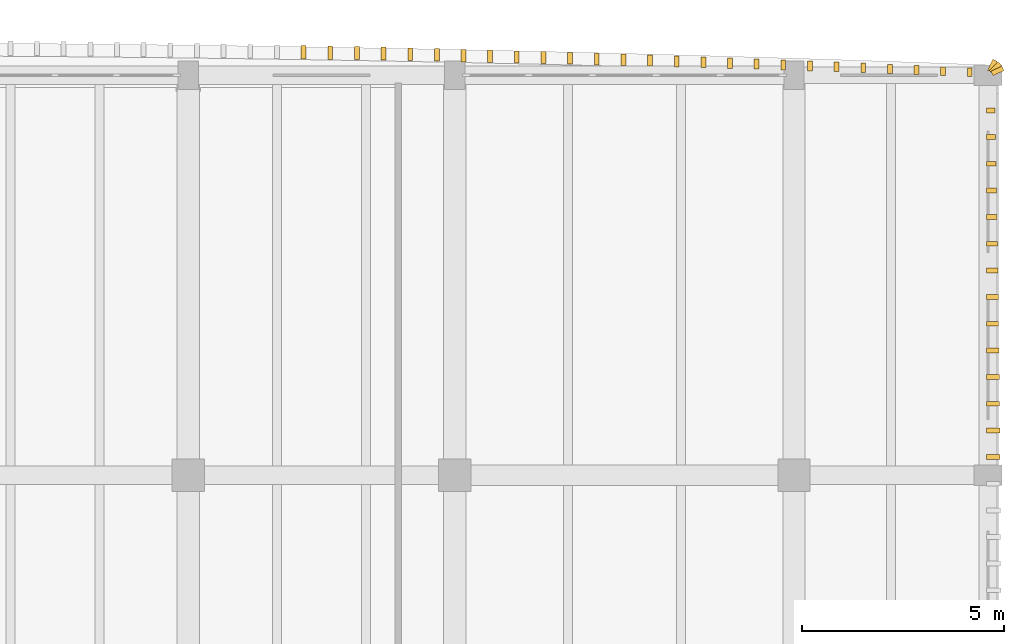
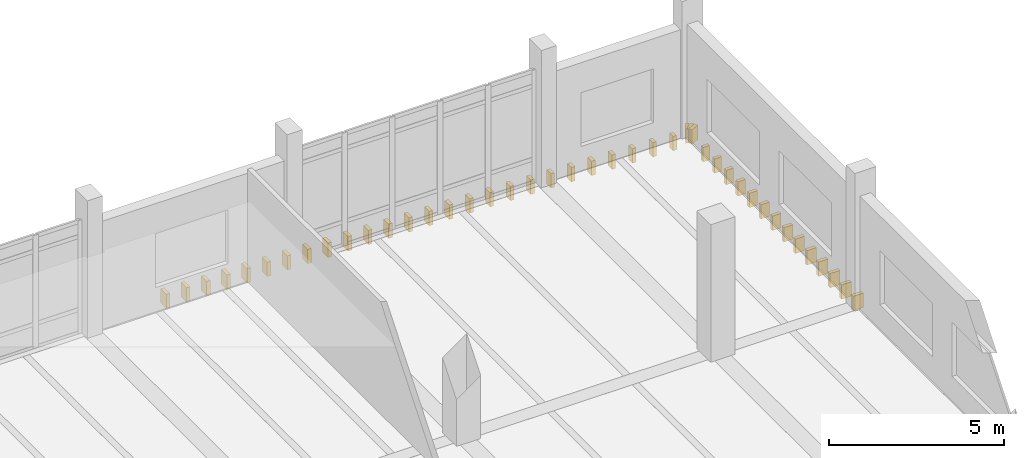
# One storey, part 125 of 125: 43 coverings.
"""IFC4 building model written with IfcOpenShell, lengths in metres."""

from ifc_helpers import new_model, si_unit, direction, frame, origin, origin_2d, place, context, subcontext, project, spatial, rectangle, extrude, material, layer, layer_set, type_object, element, save


model = new_model("IFC4")

# Units and contexts
model_context = context("Model", 3, precision=1e-05, world=origin(), true_north=direction((0.0, 1.0)))
body_context = subcontext(model_context, "Body", "Model", "MODEL_VIEW")
ifc_project = project(units=[si_unit("LENGTHUNIT", "METRE"), si_unit("AREAUNIT", "SQUARE_METRE"), si_unit("VOLUMEUNIT", "CUBIC_METRE"), si_unit("PLANEANGLEUNIT", "RADIAN"), si_unit("MASSUNIT", "GRAM", prefix="KILO")], contexts=[model_context])

# Site, building, storey
site_placement = place(None, origin())
site = spatial("IfcSite", under=ifc_project, at=site_placement, CompositionType="ELEMENT")
building_placement = place(site_placement, origin())
building = spatial("IfcBuilding", under=site, at=building_placement, Name="Dornvale Research Institute", CompositionType="ELEMENT")
storey_placement = place(building_placement, frame((0.0, 0.0, 5.39990234375)))
storey = spatial("IfcBuildingStorey", under=building, at=storey_placement, Name="L01", CompositionType="ELEMENT", Elevation=5.39990234375)

# Coverings
ifc_material = material(Name="Polychrome Glazed Terracotta Visor Rib Ceramic", Category="masonry")
ifc_layer = layer(ifc_material, 0.1201171875)
ifc_layer_set = layer_set([ifc_layer], Name="Polychrome Glazed Terracotta Visor Rib Ceramic")
covering_type = type_object("IfcCoveringType", Name="Covering_VisorBlade_Low", PredefinedType="CLADDING", material=ifc_layer_set)
covering_1_placement = place(storey_placement, frame((177.750244140625, 122.1787109375, -0.489990234375), z_axis=(0.0, 0.0, 1.0), x_axis=(0.0, 1.0, 0.0)))
element("IfcCovering", 1, at=covering_1_placement, inside=storey, type_object=covering_type, Name="L01 V4 canted glazed terracotta visor blade #1807", PredefinedType="CLADDING", context=body_context, shape_type="SweptSolid", body=[
    extrude(rectangle(XDim=0.205078125, YDim=0.1201171875, at=origin_2d()), origin(), (0.0, 0.0, 1.0), 0.5),
])
covering_2_placement = place(storey_placement, frame((177.0908203125, 122.205810546875, -0.489990234375), z_axis=(0.0, 0.0, 1.0), x_axis=(0.0, 1.0, 0.0)))
element("IfcCovering", 2, at=covering_2_placement, inside=storey, type_object=covering_type, Name="L01 V4 canted glazed terracotta visor blade #1808", PredefinedType="CLADDING", context=body_context, shape_type="SweptSolid", body=[
    extrude(rectangle(XDim=0.2119140625, YDim=0.1201171875, at=origin_2d()), origin(), (0.0, 0.0, 1.0), 0.5),
])
covering_3_placement = place(storey_placement, frame((176.43115234375, 122.232421875, -0.489990234375), z_axis=(0.0, 0.0, 1.0), x_axis=(0.0, 1.0, 0.0)))
element("IfcCovering", 3, at=covering_3_placement, inside=storey, type_object=covering_type, Name="L01 V4 canted glazed terracotta visor blade #1809", PredefinedType="CLADDING", context=body_context, shape_type="SweptSolid", body=[
    extrude(rectangle(XDim=0.218017578125, YDim=0.1201171875, at=origin_2d()), origin(), (0.0, 0.0, 1.0), 0.5),
])
covering_4_placement = place(storey_placement, frame((175.771484375, 122.25830078125, -0.489990234375), z_axis=(0.0, 0.0, 1.0), x_axis=(0.0, 1.0, 0.0)))
element("IfcCovering", 4, at=covering_4_placement, inside=storey, type_object=covering_type, Name="L01 V4 canted glazed terracotta visor blade #1810", PredefinedType="CLADDING", context=body_context, shape_type="SweptSolid", body=[
    extrude(rectangle(XDim=0.22509765625, YDim=0.1201171875, at=origin_2d()), origin(), (0.0, 0.0, 1.0), 0.5),
])
covering_5_placement = place(storey_placement, frame((175.11181640625, 122.2841796875, -0.489990234375), z_axis=(0.0, 0.0, 1.0), x_axis=(0.0, 1.0, 0.0)))
element("IfcCovering", 5, at=covering_5_placement, inside=storey, type_object=covering_type, Name="L01 V4 canted glazed terracotta visor blade #1811", PredefinedType="CLADDING", context=body_context, shape_type="SweptSolid", body=[
    extrude(rectangle(XDim=0.23193359375, YDim=0.1201171875, at=origin_2d()), origin(), (0.0, 0.0, 1.0), 0.5),
])
covering_6_placement = place(storey_placement, frame((174.4521484375, 122.30859375, -0.489990234375), z_axis=(0.0, 0.0, 1.0), x_axis=(0.0, 1.0, 0.0)))
element("IfcCovering", 6, at=covering_6_placement, inside=storey, type_object=covering_type, Name="L01 V4 canted glazed terracotta visor blade #1812", PredefinedType="CLADDING", context=body_context, shape_type="SweptSolid", body=[
    extrude(rectangle(XDim=0.238037109375, YDim=0.1201171875, at=origin_2d()), origin(), (0.0, 0.0, 1.0), 0.5),
])
covering_7_placement = place(storey_placement, frame((173.79248046875, 122.332763671875, -0.489990234375), z_axis=(0.0, 0.0, 1.0), x_axis=(0.0, 1.0, 0.0)))
element("IfcCovering", 7, at=covering_7_placement, inside=storey, type_object=covering_type, Name="L01 V4 canted glazed terracotta visor blade #1813", PredefinedType="CLADDING", context=body_context, shape_type="SweptSolid", body=[
    extrude(rectangle(XDim=0.243896484375, YDim=0.1201171875, at=origin_2d()), origin(), (0.0, 0.0, 1.0), 0.5),
])
covering_8_placement = place(storey_placement, frame((173.1328125, 122.356689453125, -0.489990234375), z_axis=(0.0, 0.0, 1.0), x_axis=(0.0, 1.0, 0.0)))
element("IfcCovering", 8, at=covering_8_placement, inside=storey, type_object=covering_type, Name="L01 V4 canted glazed terracotta visor blade #1814", PredefinedType="CLADDING", context=body_context, shape_type="SweptSolid", body=[
    extrude(rectangle(XDim=0.25, YDim=0.1201171875, at=origin_2d()), origin(), (0.0, 0.0, 1.0), 0.5),
])
covering_9_placement = place(storey_placement, frame((172.47314453125, 122.37939453125, -0.489990234375), z_axis=(0.0, 0.0, 1.0), x_axis=(0.0, 1.0, 0.0)))
element("IfcCovering", 9, at=covering_9_placement, inside=storey, type_object=covering_type, Name="L01 V4 canted glazed terracotta visor blade #1815", PredefinedType="CLADDING", context=body_context, shape_type="SweptSolid", body=[
    extrude(rectangle(XDim=0.256103515625, YDim=0.1201171875, at=origin_2d()), origin(), (0.0, 0.0, 1.0), 0.5),
])
covering_10_placement = place(storey_placement, frame((171.8134765625, 122.4013671875, -0.489990234375), z_axis=(0.0, 0.0, 1.0), x_axis=(0.0, 1.0, 0.0)))
element("IfcCovering", 10, at=covering_10_placement, inside=storey, type_object=covering_type, Name="L01 V4 canted glazed terracotta visor blade #1816", PredefinedType="CLADDING", context=body_context, shape_type="SweptSolid", body=[
    extrude(rectangle(XDim=0.260986328125, YDim=0.1201171875, at=origin_2d()), origin(), (0.0, 0.0, 1.0), 0.5),
])
covering_11_placement = place(storey_placement, frame((171.15380859375, 122.423095703125, -0.489990234375), z_axis=(0.0, 0.0, 1.0), x_axis=(0.0, 1.0, 0.0)))
element("IfcCovering", 11, at=covering_11_placement, inside=storey, type_object=covering_type, Name="L01 V4 canted glazed terracotta visor blade #1817", PredefinedType="CLADDING", context=body_context, shape_type="SweptSolid", body=[
    extrude(rectangle(XDim=0.26708984375, YDim=0.1201171875, at=origin_2d()), origin(), (0.0, 0.0, 1.0), 0.5),
])
covering_12_placement = place(storey_placement, frame((170.493896484375, 122.444091796875, -0.489990234375), z_axis=(0.0, 0.0, 1.0), x_axis=(0.0, 1.0, 0.0)))
element("IfcCovering", 12, at=covering_12_placement, inside=storey, type_object=covering_type, Name="L01 V4 canted glazed terracotta visor blade #1818", PredefinedType="CLADDING", context=body_context, shape_type="SweptSolid", body=[
    extrude(rectangle(XDim=0.27197265625, YDim=0.1201171875, at=origin_2d()), origin(), (0.0, 0.0, 1.0), 0.5),
])
covering_13_placement = place(storey_placement, frame((169.834228515625, 122.464599609375, -0.489990234375), z_axis=(0.0, 0.0, 1.0), x_axis=(0.0, 1.0, 0.0)))
element("IfcCovering", 13, at=covering_13_placement, inside=storey, type_object=covering_type, Name="L01 V4 canted glazed terracotta visor blade #1819", PredefinedType="CLADDING", context=body_context, shape_type="SweptSolid", body=[
    extrude(rectangle(XDim=0.277099609375, YDim=0.1201171875, at=origin_2d()), origin(), (0.0, 0.0, 1.0), 0.5),
])
covering_14_placement = place(storey_placement, frame((169.174560546875, 122.484130859375, -0.489990234375), z_axis=(0.0, 0.0, 1.0), x_axis=(0.0, 1.0, 0.0)))
element("IfcCovering", 14, at=covering_14_placement, inside=storey, type_object=covering_type, Name="L01 V4 canted glazed terracotta visor blade #1820", PredefinedType="CLADDING", context=body_context, shape_type="SweptSolid", body=[
    extrude(rectangle(XDim=0.281982421875, YDim=0.1201171875, at=origin_2d()), origin(), (0.0, 0.0, 1.0), 0.5),
])
covering_15_placement = place(storey_placement, frame((168.5146484375, 122.503662109375, -0.489990234375), z_axis=(0.0, 0.0, 1.0), x_axis=(0.0, 1.0, 0.0)))
element("IfcCovering", 15, at=covering_15_placement, inside=storey, type_object=covering_type, Name="L01 V4 canted glazed terracotta visor blade #1821", PredefinedType="CLADDING", context=body_context, shape_type="SweptSolid", body=[
    extrude(rectangle(XDim=0.287109375, YDim=0.1201171875, at=origin_2d()), origin(), (0.0, 0.0, 1.0), 0.5),
])
covering_16_placement = place(storey_placement, frame((167.85498046875, 122.522216796875, -0.489990234375), z_axis=(0.0, 0.0, 1.0), x_axis=(0.0, 1.0, 0.0)))
element("IfcCovering", 16, at=covering_16_placement, inside=storey, type_object=covering_type, Name="L01 V4 canted glazed terracotta visor blade #1822", PredefinedType="CLADDING", context=body_context, shape_type="SweptSolid", body=[
    extrude(rectangle(XDim=0.2919921875, YDim=0.1201171875, at=origin_2d()), origin(), (0.0, 0.0, 1.0), 0.5),
])
covering_17_placement = place(storey_placement, frame((167.195068359375, 122.540283203125, -0.489990234375), z_axis=(0.0, 0.0, 1.0), x_axis=(0.0, 1.0, 0.0)))
element("IfcCovering", 17, at=covering_17_placement, inside=storey, type_object=covering_type, Name="L01 V4 canted glazed terracotta visor blade #1823", PredefinedType="CLADDING", context=body_context, shape_type="SweptSolid", body=[
    extrude(rectangle(XDim=0.297119140625, YDim=0.1201171875, at=origin_2d()), origin(), (0.0, 0.0, 1.0), 0.5),
])
covering_18_placement = place(storey_placement, frame((166.535400390625, 122.5576171875, -0.489990234375), z_axis=(0.0, 0.0, 1.0), x_axis=(0.0, 1.0, 0.0)))
element("IfcCovering", 18, at=covering_18_placement, inside=storey, type_object=covering_type, Name="L01 V4 canted glazed terracotta visor blade #1824", PredefinedType="CLADDING", context=body_context, shape_type="SweptSolid", body=[
    extrude(rectangle(XDim=0.301025390625, YDim=0.1201171875, at=origin_2d()), origin(), (0.0, 0.0, 1.0), 0.5),
])
covering_19_placement = place(storey_placement, frame((165.87548828125, 122.57373046875, -0.489990234375), z_axis=(0.0, 0.0, 1.0), x_axis=(0.0, 1.0, 0.0)))
element("IfcCovering", 19, at=covering_19_placement, inside=storey, type_object=covering_type, Name="L01 V4 canted glazed terracotta visor blade #1825", PredefinedType="CLADDING", context=body_context, shape_type="SweptSolid", body=[
    extrude(rectangle(XDim=0.304931640625, YDim=0.1201171875, at=origin_2d()), origin(), (0.0, 0.0, 1.0), 0.5),
])
covering_20_placement = place(storey_placement, frame((165.215576171875, 122.590087890625, -0.489990234375), z_axis=(0.0, 0.0, 1.0), x_axis=(0.0, 1.0, 0.0)))
element("IfcCovering", 20, at=covering_20_placement, inside=storey, type_object=covering_type, Name="L01 V4 canted glazed terracotta visor blade #1826", PredefinedType="CLADDING", context=body_context, shape_type="SweptSolid", body=[
    extrude(rectangle(XDim=0.30908203125, YDim=0.1201171875, at=origin_2d()), origin(), (0.0, 0.0, 1.0), 0.5),
])
covering_21_placement = place(storey_placement, frame((164.5556640625, 122.60546875, -0.489990234375), z_axis=(0.0, 0.0, 1.0), x_axis=(0.0, 1.0, 0.0)))
element("IfcCovering", 21, at=covering_21_placement, inside=storey, type_object=covering_type, Name="L01 V4 canted glazed terracotta visor blade #1827", PredefinedType="CLADDING", context=body_context, shape_type="SweptSolid", body=[
    extrude(rectangle(XDim=0.31298828125, YDim=0.1201171875, at=origin_2d()), origin(), (0.0, 0.0, 1.0), 0.5),
])
covering_22_placement = place(storey_placement, frame((163.895751953125, 122.620361328125, -0.489990234375), z_axis=(0.0, 0.0, 1.0), x_axis=(0.0, 1.0, 0.0)))
element("IfcCovering", 22, at=covering_22_placement, inside=storey, type_object=covering_type, Name="L01 V4 canted glazed terracotta visor blade #1828", PredefinedType="CLADDING", context=body_context, shape_type="SweptSolid", body=[
    extrude(rectangle(XDim=0.31689453125, YDim=0.1201171875, at=origin_2d()), origin(), (0.0, 0.0, 1.0), 0.5),
])
covering_23_placement = place(storey_placement, frame((163.236083984375, 122.635009765625, -0.489990234375), z_axis=(0.0, 0.0, 1.0), x_axis=(0.0, 1.0, 0.0)))
element("IfcCovering", 23, at=covering_23_placement, inside=storey, type_object=covering_type, Name="L01 V4 canted glazed terracotta visor blade #1829", PredefinedType="CLADDING", context=body_context, shape_type="SweptSolid", body=[
    extrude(rectangle(XDim=0.321044921875, YDim=0.1201171875, at=origin_2d()), origin(), (0.0, 0.0, 1.0), 0.5),
])
covering_24_placement = place(storey_placement, frame((162.576171875, 122.648193359375, -0.489990234375), z_axis=(0.0, 0.0, 1.0), x_axis=(0.0, 1.0, 0.0)))
element("IfcCovering", 24, at=covering_24_placement, inside=storey, type_object=covering_type, Name="L01 V4 canted glazed terracotta visor blade #1830", PredefinedType="CLADDING", context=body_context, shape_type="SweptSolid", body=[
    extrude(rectangle(XDim=0.323974609375, YDim=0.1201171875, at=origin_2d()), origin(), (0.0, 0.0, 1.0), 0.5),
])
covering_25_placement = place(storey_placement, frame((161.916259765625, 122.6611328125, -0.489990234375), z_axis=(0.0, 0.0, 1.0), x_axis=(0.0, 1.0, 0.0)))
element("IfcCovering", 25, at=covering_25_placement, inside=storey, type_object=covering_type, Name="L01 V4 canted glazed terracotta visor blade #1831", PredefinedType="CLADDING", context=body_context, shape_type="SweptSolid", body=[
    extrude(rectangle(XDim=0.326904296875, YDim=0.1201171875, at=origin_2d()), origin(), (0.0, 0.0, 1.0), 0.5),
])
covering_26_placement = place(storey_placement, frame((161.256103515625, 122.673095703125, -0.489990234375), z_axis=(0.0, 0.0, 1.0), x_axis=(0.0, 1.0, 0.0)))
element("IfcCovering", 26, at=covering_26_placement, inside=storey, type_object=covering_type, Name="L01 V4 canted glazed terracotta visor blade #1832", PredefinedType="CLADDING", context=body_context, shape_type="SweptSolid", body=[
    extrude(rectangle(XDim=0.330078125, YDim=0.1201171875, at=origin_2d()), origin(), (0.0, 0.0, 1.0), 0.5),
])
covering_27_placement = place(storey_placement, frame((178.32958984375, 112.64990234375, -0.489990234375), z_axis=(0.0, 0.0, 1.0), x_axis=(1.0, 0.0, 0.0)))
element("IfcCovering", 27, at=covering_27_placement, inside=storey, type_object=covering_type, Name="L01 V4 canted glazed terracotta visor blade #1926", PredefinedType="CLADDING", context=body_context, shape_type="SweptSolid", body=[
    extrude(rectangle(XDim=0.339111328125, YDim=0.1201171875, at=origin_2d()), origin(), (0.0, 0.0, 1.0), 0.5),
])
covering_28_placement = place(storey_placement, frame((178.326416015625, 113.31005859375, -0.489990234375), z_axis=(0.0, 0.0, 1.0), x_axis=(1.0, 0.0, 0.0)))
element("IfcCovering", 28, at=covering_28_placement, inside=storey, type_object=covering_type, Name="L01 V4 canted glazed terracotta visor blade #1927", PredefinedType="CLADDING", context=body_context, shape_type="SweptSolid", body=[
    extrude(rectangle(XDim=0.3330078125, YDim=0.1201171875, at=origin_2d()), origin(), (0.0, 0.0, 1.0), 0.5),
])
covering_29_placement = place(storey_placement, frame((178.323486328125, 113.969970703125, -0.489990234375), z_axis=(0.0, 0.0, 1.0), x_axis=(1.0, 0.0, 0.0)))
element("IfcCovering", 29, at=covering_29_placement, inside=storey, type_object=covering_type, Name="L01 V4 canted glazed terracotta visor blade #1928", PredefinedType="CLADDING", context=body_context, shape_type="SweptSolid", body=[
    extrude(rectangle(XDim=0.326904296875, YDim=0.1201171875, at=origin_2d()), origin(), (0.0, 0.0, 1.0), 0.5),
])
covering_30_placement = place(storey_placement, frame((178.320068359375, 114.6298828125, -0.489990234375), z_axis=(0.0, 0.0, 1.0), x_axis=(1.0, 0.0, 0.0)))
element("IfcCovering", 30, at=covering_30_placement, inside=storey, type_object=covering_type, Name="L01 V4 canted glazed terracotta visor blade #1929", PredefinedType="CLADDING", context=body_context, shape_type="SweptSolid", body=[
    extrude(rectangle(XDim=0.320068359375, YDim=0.1201171875, at=origin_2d()), origin(), (0.0, 0.0, 1.0), 0.5),
])
covering_31_placement = place(storey_placement, frame((178.31640625, 115.2900390625, -0.489990234375), z_axis=(0.0, 0.0, 1.0), x_axis=(1.0, 0.0, 0.0)))
element("IfcCovering", 31, at=covering_31_placement, inside=storey, type_object=covering_type, Name="L01 V4 canted glazed terracotta visor blade #1930", PredefinedType="CLADDING", context=body_context, shape_type="SweptSolid", body=[
    extrude(rectangle(XDim=0.31298828125, YDim=0.1201171875, at=origin_2d()), origin(), (0.0, 0.0, 1.0), 0.5),
])
covering_32_placement = place(storey_placement, frame((178.3125, 115.949951171875, -0.489990234375), z_axis=(0.0, 0.0, 1.0), x_axis=(1.0, 0.0, 0.0)))
element("IfcCovering", 32, at=covering_32_placement, inside=storey, type_object=covering_type, Name="L01 V4 canted glazed terracotta visor blade #1931", PredefinedType="CLADDING", context=body_context, shape_type="SweptSolid", body=[
    extrude(rectangle(XDim=0.304931640625, YDim=0.1201171875, at=origin_2d()), origin(), (0.0, 0.0, 1.0), 0.5),
])
covering_33_placement = place(storey_placement, frame((178.30810546875, 116.610107421875, -0.489990234375), z_axis=(0.0, 0.0, 1.0), x_axis=(1.0, 0.0, 0.0)))
element("IfcCovering", 33, at=covering_33_placement, inside=storey, type_object=covering_type, Name="L01 V4 canted glazed terracotta visor blade #1932", PredefinedType="CLADDING", context=body_context, shape_type="SweptSolid", body=[
    extrude(rectangle(XDim=0.2958984375, YDim=0.1201171875, at=origin_2d()), origin(), (0.0, 0.0, 1.0), 0.5),
])
covering_34_placement = place(storey_placement, frame((178.303466796875, 117.27001953125, -0.489990234375), z_axis=(0.0, 0.0, 1.0), x_axis=(1.0, 0.0, 0.0)))
element("IfcCovering", 34, at=covering_34_placement, inside=storey, type_object=covering_type, Name="L01 V4 canted glazed terracotta visor blade #1933", PredefinedType="CLADDING", context=body_context, shape_type="SweptSolid", body=[
    extrude(rectangle(XDim=0.287109375, YDim=0.1201171875, at=origin_2d()), origin(), (0.0, 0.0, 1.0), 0.5),
])
covering_35_placement = place(storey_placement, frame((178.298583984375, 117.929931640625, -0.489990234375), z_axis=(0.0, 0.0, 1.0), x_axis=(1.0, 0.0, 0.0)))
element("IfcCovering", 35, at=covering_35_placement, inside=storey, type_object=covering_type, Name="L01 V4 canted glazed terracotta visor blade #1934", PredefinedType="CLADDING", context=body_context, shape_type="SweptSolid", body=[
    extrude(rectangle(XDim=0.277099609375, YDim=0.1201171875, at=origin_2d()), origin(), (0.0, 0.0, 1.0), 0.5),
])
covering_36_placement = place(storey_placement, frame((178.29345703125, 118.590087890625, -0.489990234375), z_axis=(0.0, 0.0, 1.0), x_axis=(1.0, 0.0, 0.0)))
element("IfcCovering", 36, at=covering_36_placement, inside=storey, type_object=covering_type, Name="L01 V4 canted glazed terracotta visor blade #1935", PredefinedType="CLADDING", context=body_context, shape_type="SweptSolid", body=[
    extrude(rectangle(XDim=0.26708984375, YDim=0.1201171875, at=origin_2d()), origin(), (0.0, 0.0, 1.0), 0.5),
])
covering_37_placement = place(storey_placement, frame((178.2880859375, 119.25, -0.489990234375), z_axis=(0.0, 0.0, 1.0), x_axis=(1.0, 0.0, 0.0)))
element("IfcCovering", 37, at=covering_37_placement, inside=storey, type_object=covering_type, Name="L01 V4 canted glazed terracotta visor blade #1936", PredefinedType="CLADDING", context=body_context, shape_type="SweptSolid", body=[
    extrude(rectangle(XDim=0.256103515625, YDim=0.1201171875, at=origin_2d()), origin(), (0.0, 0.0, 1.0), 0.5),
])
covering_38_placement = place(storey_placement, frame((178.281982421875, 119.909912109375, -0.489990234375), z_axis=(0.0, 0.0, 1.0), x_axis=(1.0, 0.0, 0.0)))
element("IfcCovering", 38, at=covering_38_placement, inside=storey, type_object=covering_type, Name="L01 V4 canted glazed terracotta visor blade #1937", PredefinedType="CLADDING", context=body_context, shape_type="SweptSolid", body=[
    extrude(rectangle(XDim=0.243896484375, YDim=0.1201171875, at=origin_2d()), origin(), (0.0, 0.0, 1.0), 0.5),
])
covering_39_placement = place(storey_placement, frame((178.275390625, 120.570068359375, -0.489990234375), z_axis=(0.0, 0.0, 1.0), x_axis=(1.0, 0.0, 0.0)))
element("IfcCovering", 39, at=covering_39_placement, inside=storey, type_object=covering_type, Name="L01 V4 canted glazed terracotta visor blade #1938", PredefinedType="CLADDING", context=body_context, shape_type="SweptSolid", body=[
    extrude(rectangle(XDim=0.23095703125, YDim=0.1201171875, at=origin_2d()), origin(), (0.0, 0.0, 1.0), 0.5),
])
covering_40_placement = place(storey_placement, frame((178.26904296875, 121.22998046875, -0.489990234375), z_axis=(0.0, 0.0, 1.0), x_axis=(1.0, 0.0, 0.0)))
element("IfcCovering", 40, at=covering_40_placement, inside=storey, type_object=covering_type, Name="L01 V4 canted glazed terracotta visor blade #1939", PredefinedType="CLADDING", context=body_context, shape_type="SweptSolid", body=[
    extrude(rectangle(XDim=0.218017578125, YDim=0.1201171875, at=origin_2d()), origin(), (0.0, 0.0, 1.0), 0.5),
])
for number, where, z_axis, x_axis, name in (
    (41, (178.435546875, 122.2099609375, -0.489990234375), (0.0, 0.0, 1.0), (0.906307787037, 0.422618261741, 0.0), "L01 V4 corner-wrapping visor blade #1984"),
    (42, (178.3837890625, 122.28369140625, -0.489990234375), (0.0, 0.0, 1.0), (0.707106781187, 0.707106781187, 0.0), "L01 V4 corner-wrapping visor blade #1985"),
    (43, (178.309814453125, 122.335693359375, -0.489990234375), (0.0, 0.0, 1.0), (0.422618261741, 0.906307787037, 0.0), "L01 V4 corner-wrapping visor blade #1986"),
):
    element("IfcCovering", number, at=place(storey_placement, frame(where, z_axis=z_axis, x_axis=x_axis)), inside=storey, type_object=covering_type, Name=name, PredefinedType="CLADDING", context=body_context, shape_type="SweptSolid", body=[
        extrude(rectangle(XDim=0.300048828125, YDim=0.1201171875, at=origin_2d()), origin(), (0.0, 0.0, 1.0), 0.5),
    ])

save(model, "model.ifc")
